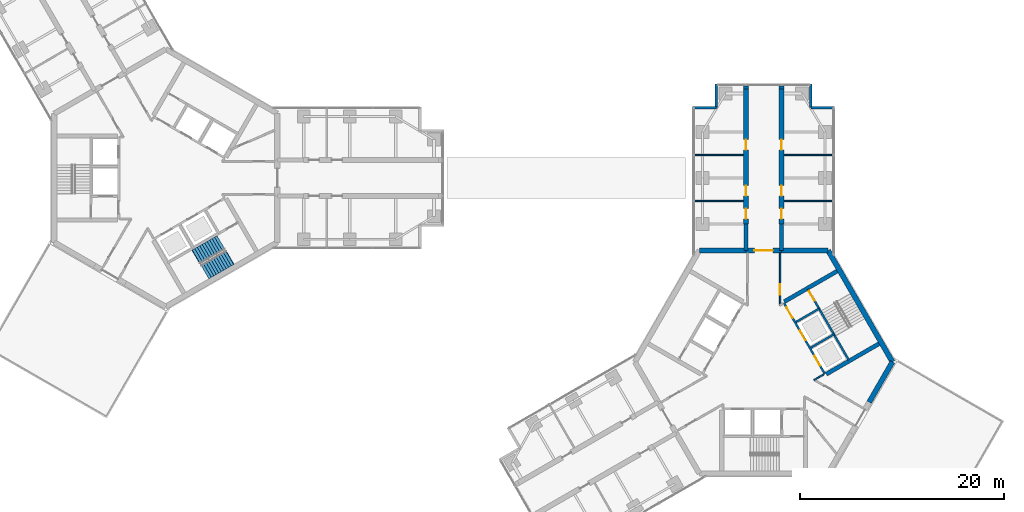
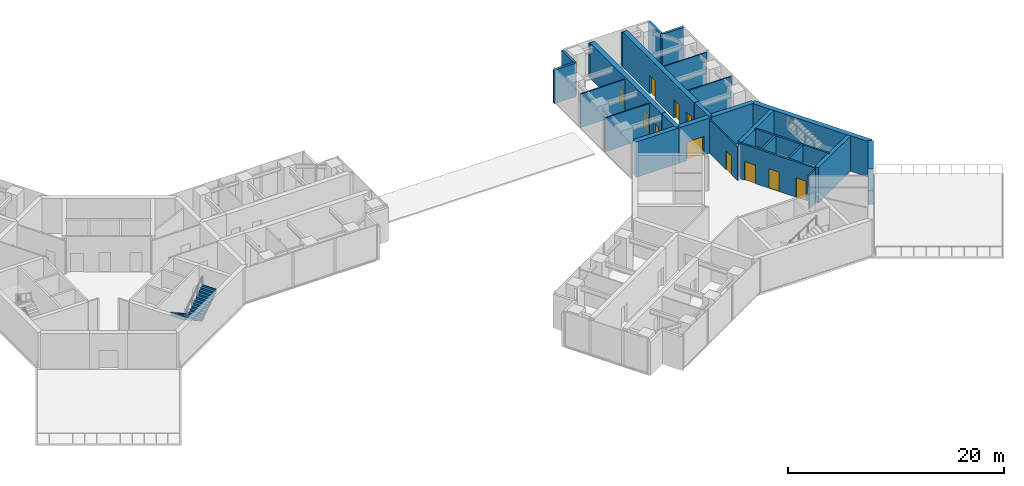
# One storey, part 15 of 18: 27 walls, 12 doors, 2 stair flights, 12 openings, 1 element without a shape of its own.
"""IFC4 building model written with IfcOpenShell, lengths in metres."""

from ifc_helpers import new_model, si_unit, direction, frame, frame_2d, origin, place, context, subcontext, project, spatial, polyline, rectangle, outline, extrude, material, layer, layer_set, type_object, element, fill, aggregate, save


model = new_model("IFC4")

# Units and contexts
model_context = context("Model", 3, precision=1e-05, world=origin(), true_north=direction((0.0, 1.0)))
body_context = subcontext(model_context, "Body", "Model", "MODEL_VIEW")
ifc_project = project(units=[si_unit("LENGTHUNIT", "METRE"), si_unit("AREAUNIT", "SQUARE_METRE"), si_unit("VOLUMEUNIT", "CUBIC_METRE"), si_unit("PLANEANGLEUNIT", "RADIAN"), si_unit("MASSUNIT", "GRAM", prefix="KILO")], contexts=[model_context])

# Site, building, storey
site_placement = place(None, origin())
site = spatial("IfcSite", under=ifc_project, at=site_placement, CompositionType="ELEMENT")
building_placement = place(site_placement, origin())
building = spatial("IfcBuilding", under=site, at=building_placement, Name="Upepo Twin Towers", CompositionType="ELEMENT")
storey_placement = place(building_placement, frame((0.0, 0.0, 170.5)))
storey = spatial("IfcBuildingStorey", under=building, at=storey_placement, Name="L41", CompositionType="ELEMENT", Elevation=170.5)

# Walls
ifc_material_1 = material(Name="Dense concrete blockwork", Category="masonry")
ifc_layer_1 = layer(ifc_material_1, 0.5)
ifc_layer_set_1 = layer_set([ifc_layer_1], Name="Buttress closer 500, blockwork with fire-stopping to the curtain wall")
wall_type_1 = type_object("IfcWallType", Name="Buttress closer 500, blockwork with fire-stopping to the curtain wall", PredefinedType="PARTITIONING", material=ifc_layer_set_1)
for number, where, z_axis, x_axis, name in (
    (1, (56.75, 8.699951171875, 0.0), (0.0, 0.0, 1.0), (0.0, 1.0, 0.0), "T2 L41 wing A buttress closer L"),
    (2, (60.25, 8.699951171875, 0.0), (0.0, 0.0, 1.0), (0.0, 1.0, 0.0), "T2 L41 wing A buttress closer R"),
):
    element("IfcWall", number, at=place(storey_placement, frame(where, z_axis=z_axis, x_axis=x_axis)), inside=storey, type_object=wall_type_1, Name=name, PredefinedType="PARTITIONING", context=body_context, shape_type="SweptSolid", body=[
        extrude(rectangle(XDim=0.28759765625, YDim=0.5, at=frame_2d((0.143798828125, 0.0))), origin(), (0.0, 0.0, 1.0), 3.800048828125),
    ])
ifc_material_2 = material(Name="Concrete C60/75", Category="concrete")
ifc_layer_2 = layer(ifc_material_2, 0.39990234375)
ifc_layer_set_2 = layer_set([ifc_layer_2], Name="Concrete C60/75")
wall_type_2 = type_object("IfcWallType", Name="Buttress wall 400 RC", PredefinedType="SHEAR", material=ifc_layer_set_2)
for number, where, z_axis, x_axis, name in (
    (3, (56.75, -7.091552734375, 0.0), (0.0, 0.0, 1.0), (0.0, 1.0, 0.0), "T2 wing A buttress wall L"),
    (4, (60.25, -7.091552734375, 0.0), (0.0, 0.0, 1.0), (0.0, 1.0, 0.0), "T2 wing A buttress wall R"),
):
    element("IfcWall", number, at=place(storey_placement, frame(where, z_axis=z_axis, x_axis=x_axis)), inside=storey, type_object=wall_type_2, Name=name, PredefinedType="SHEAR", context=body_context, shape_type="SweptSolid", body=[
        extrude(rectangle(XDim=2.591552734375, YDim=0.39990234375, at=frame_2d((1.2958984375, 0.0))), origin(), (0.0, 0.0, 1.0), 4.0),
    ])

# Wall, openings, doors
ifc_material_3 = material(Name="Concrete C60/75", Category="concrete")
ifc_layer_3 = layer(ifc_material_3, 0.5)
ifc_layer_set_3 = layer_set([ifc_layer_3], Name="Concrete C60/75")
wall_type_3 = type_object("IfcWallType", Name="Buttress wall 500 RC", PredefinedType="SHEAR", material=ifc_layer_set_3)
wall_1_placement = place(storey_placement, frame((56.75, -4.5, 0.0), z_axis=(0.0, 0.0, 1.0), x_axis=(0.0, 1.0, 0.0)))
wall_1 = element("IfcWall", 5, at=wall_1_placement, inside=storey, type_object=wall_type_3, Name="T2 wing A buttress wall L part 2", PredefinedType="SHEAR", context=body_context, shape_type="SweptSolid", body=[
    extrude(rectangle(XDim=13.199951171875, YDim=0.5, at=frame_2d((6.60009765625, 0.0))), origin(), (0.0, 0.0, 1.0), 4.0),
])
opening_1_placement = place(wall_1_placement, frame((0.5, 0.0, 0.0)))
opening_1 = element("IfcOpeningElement", 6, at=opening_1_placement, cuts=wall_1, Name="Opening D15", PredefinedType="OPENING", context=body_context, shape_type="SweptSolid", body=[
    extrude(rectangle(XDim=1.0, YDim=2.10009765625, at=frame_2d((0.5, 1.050048828125))), frame((0.0, 0.260009765625, 0.0), z_axis=(0.0, -1.0, 0.0), x_axis=(1.0, 0.0, 0.0)), (0.0, 0.0, 1.0), 0.52001953125),
])
opening_2_placement = place(wall_1_placement, frame((2.75, 0.0, 0.0)))
opening_2 = element("IfcOpeningElement", 7, at=opening_2_placement, cuts=wall_1, Name="Opening D15", PredefinedType="OPENING", context=body_context, shape_type="SweptSolid", body=[
    extrude(rectangle(XDim=1.0, YDim=2.10009765625, at=frame_2d((0.5, 1.050048828125))), frame((0.0, 0.260009765625, 0.0), z_axis=(0.0, -1.0, 0.0), x_axis=(1.0, 0.0, 0.0)), (0.0, 0.0, 1.0), 0.52001953125),
])
opening_3_placement = place(wall_1_placement, frame((7.25, 0.0, 0.0)))
opening_3 = element("IfcOpeningElement", 8, at=opening_3_placement, cuts=wall_1, Name="Opening D15", PredefinedType="OPENING", context=body_context, shape_type="SweptSolid", body=[
    extrude(rectangle(XDim=1.0, YDim=2.10009765625, at=frame_2d((0.5, 1.050048828125))), frame((0.0, 0.260009765625, 0.0), z_axis=(0.0, -1.0, 0.0), x_axis=(1.0, 0.0, 0.0)), (0.0, 0.0, 1.0), 0.52001953125),
])
ifc_material_4 = material(Name="Timber doorset", Category="wood")
door_type_1 = type_object("IfcDoorType", Name="Glazed door 1000 FD30", OperationType="SINGLE_SWING_LEFT", PredefinedType="DOOR", material=ifc_material_4)
door_1_placement = place(opening_1_placement, origin())
door_1 = element("IfcDoor", 9, at=door_1_placement, inside=storey, type_object=door_type_1, Name="T2 L41 faculty office door", OperationType="SINGLE_SWING_LEFT", OverallHeight=2.10009765625, OverallWidth=1.0, PredefinedType="DOOR", context=body_context, shape_type="SweptSolid", body=[
    extrude(rectangle(XDim=1.0, YDim=2.10009765625, at=frame_2d((0.5, 1.050048828125))), frame((0.0, 0.02490234375, 0.0), z_axis=(0.0, -1.0, 0.0), x_axis=(1.0, 0.0, 0.0)), (0.0, 0.0, 1.0), 0.050048828125),
])
fill(opening_1, door_1)
door_2_placement = place(opening_2_placement, origin())
door_2 = element("IfcDoor", 10, at=door_2_placement, inside=storey, type_object=door_type_1, Name="T2 L41 faculty office door", OperationType="SINGLE_SWING_LEFT", OverallHeight=2.10009765625, OverallWidth=1.0, PredefinedType="DOOR", context=body_context, shape_type="SweptSolid", body=[
    extrude(rectangle(XDim=1.0, YDim=2.10009765625, at=frame_2d((0.5, 1.050048828125))), frame((0.0, 0.02490234375, 0.0), z_axis=(0.0, -1.0, 0.0), x_axis=(1.0, 0.0, 0.0)), (0.0, 0.0, 1.0), 0.050048828125),
])
fill(opening_2, door_2)
door_3_placement = place(opening_3_placement, origin())
door_3 = element("IfcDoor", 11, at=door_3_placement, inside=storey, type_object=door_type_1, Name="T2 L41 faculty office door", OperationType="SINGLE_SWING_RIGHT", OverallHeight=2.10009765625, OverallWidth=1.0, PredefinedType="DOOR", context=body_context, shape_type="SweptSolid", body=[
    extrude(rectangle(XDim=1.0, YDim=2.10009765625, at=frame_2d((0.5, 1.050048828125))), frame((0.0, 0.02490234375, 0.0), z_axis=(0.0, -1.0, 0.0), x_axis=(1.0, 0.0, 0.0)), (0.0, 0.0, 1.0), 0.050048828125),
])
fill(opening_3, door_3)

wall_2_placement = place(storey_placement, frame((60.25, -4.5, 0.0), z_axis=(0.0, 0.0, 1.0), x_axis=(0.0, 1.0, 0.0)))
wall_2 = element("IfcWall", 12, at=wall_2_placement, inside=storey, type_object=wall_type_3, Name="T2 wing A buttress wall R part 2", PredefinedType="SHEAR", context=body_context, shape_type="SweptSolid", body=[
    extrude(rectangle(XDim=13.199951171875, YDim=0.5, at=frame_2d((6.60009765625, 0.0))), origin(), (0.0, 0.0, 1.0), 4.0),
])
opening_4_placement = place(wall_2_placement, frame((0.5, 0.0, 0.0)))
opening_4 = element("IfcOpeningElement", 13, at=opening_4_placement, cuts=wall_2, Name="Opening D15", PredefinedType="OPENING", context=body_context, shape_type="SweptSolid", body=[
    extrude(rectangle(XDim=1.0, YDim=2.10009765625, at=frame_2d((0.5, 1.050048828125))), frame((0.0, 0.260009765625, 0.0), z_axis=(0.0, -1.0, 0.0), x_axis=(1.0, 0.0, 0.0)), (0.0, 0.0, 1.0), 0.52001953125),
])
opening_5_placement = place(wall_2_placement, frame((2.75, 0.0, 0.0)))
opening_5 = element("IfcOpeningElement", 14, at=opening_5_placement, cuts=wall_2, Name="Opening D15", PredefinedType="OPENING", context=body_context, shape_type="SweptSolid", body=[
    extrude(rectangle(XDim=1.0, YDim=2.10009765625, at=frame_2d((0.5, 1.050048828125))), frame((0.0, 0.260009765625, 0.0), z_axis=(0.0, -1.0, 0.0), x_axis=(1.0, 0.0, 0.0)), (0.0, 0.0, 1.0), 0.52001953125),
])
opening_6_placement = place(wall_2_placement, frame((7.25, 0.0, 0.0)))
opening_6 = element("IfcOpeningElement", 15, at=opening_6_placement, cuts=wall_2, Name="Opening D15", PredefinedType="OPENING", context=body_context, shape_type="SweptSolid", body=[
    extrude(rectangle(XDim=1.0, YDim=2.10009765625, at=frame_2d((0.5, 1.050048828125))), frame((0.0, 0.260009765625, 0.0), z_axis=(0.0, -1.0, 0.0), x_axis=(1.0, 0.0, 0.0)), (0.0, 0.0, 1.0), 0.52001953125),
])
door_4_placement = place(opening_4_placement, origin())
door_4 = element("IfcDoor", 16, at=door_4_placement, inside=storey, type_object=door_type_1, Name="T2 L41 faculty office door", OperationType="SINGLE_SWING_LEFT", OverallHeight=2.10009765625, OverallWidth=1.0, PredefinedType="DOOR", context=body_context, shape_type="SweptSolid", body=[
    extrude(rectangle(XDim=1.0, YDim=2.10009765625, at=frame_2d((0.5, 1.050048828125))), frame((0.0, 0.02490234375, 0.0), z_axis=(0.0, -1.0, 0.0), x_axis=(1.0, 0.0, 0.0)), (0.0, 0.0, 1.0), 0.050048828125),
])
fill(opening_4, door_4)
door_5_placement = place(opening_5_placement, origin())
door_5 = element("IfcDoor", 17, at=door_5_placement, inside=storey, type_object=door_type_1, Name="T2 L41 faculty office door", OperationType="SINGLE_SWING_LEFT", OverallHeight=2.10009765625, OverallWidth=1.0, PredefinedType="DOOR", context=body_context, shape_type="SweptSolid", body=[
    extrude(rectangle(XDim=1.0, YDim=2.10009765625, at=frame_2d((0.5, 1.050048828125))), frame((0.0, 0.02490234375, 0.0), z_axis=(0.0, -1.0, 0.0), x_axis=(1.0, 0.0, 0.0)), (0.0, 0.0, 1.0), 0.050048828125),
])
fill(opening_5, door_5)
door_6_placement = place(opening_6_placement, origin())
door_6 = element("IfcDoor", 18, at=door_6_placement, inside=storey, type_object=door_type_1, Name="T2 L41 faculty office door", OperationType="SINGLE_SWING_RIGHT", OverallHeight=2.10009765625, OverallWidth=1.0, PredefinedType="DOOR", context=body_context, shape_type="SweptSolid", body=[
    extrude(rectangle(XDim=1.0, YDim=2.10009765625, at=frame_2d((0.5, 1.050048828125))), frame((0.0, 0.02490234375, 0.0), z_axis=(0.0, -1.0, 0.0), x_axis=(1.0, 0.0, 0.0)), (0.0, 0.0, 1.0), 0.050048828125),
])
fill(opening_6, door_6)

# Wall
ifc_material_5 = material(Name="Concrete C60/75", Category="concrete")
ifc_layer_4 = layer(ifc_material_5, 0.5)
ifc_layer_set_4 = layer_set([ifc_layer_4], Name="Concrete C60/75")
wall_type_4 = type_object("IfcWallType", Name="Core wall 500 RC", PredefinedType="SHEAR", material=ifc_layer_set_4)
wall_3_placement = place(storey_placement, frame((64.7978515625, -7.091552734375, 0.0), z_axis=(0.0, 0.0, 1.0), x_axis=(-1.0, 0.0, 0.0)))
element("IfcWall", 19, at=wall_3_placement, inside=storey, type_object=wall_type_4, Name="T2 core wall 000 R", PredefinedType="SHEAR", context=body_context, shape_type="SweptSolid", body=[
    extrude(rectangle(XDim=4.5478515625, YDim=0.5, at=frame_2d((2.27392578125, 0.0))), origin(), (0.0, 0.0, 1.0), 4.0),
])

# Wall, opening, door
wall_4_placement = place(storey_placement, frame((60.25, -7.091552734375, 0.0), z_axis=(0.0, 0.0, 1.0), x_axis=(-1.0, 0.0, 0.0)))
wall_4 = element("IfcWall", 20, at=wall_4_placement, inside=storey, type_object=wall_type_4, Name="T2 core wall 000", PredefinedType="SHEAR", context=body_context, shape_type="SweptSolid", body=[
    extrude(rectangle(XDim=3.5, YDim=0.5, at=frame_2d((1.75, 0.0))), origin(), (0.0, 0.0, 1.0), 4.0),
])
opening_7_placement = place(wall_4_placement, frame((0.85009765625, 0.0, 0.0)))
opening_7 = element("IfcOpeningElement", 21, at=opening_7_placement, cuts=wall_4, Name="Opening D2", PredefinedType="OPENING", context=body_context, shape_type="SweptSolid", body=[
    extrude(rectangle(XDim=1.800048828125, YDim=2.10009765625, at=frame_2d((0.89990234375, 1.050048828125))), frame((0.0, 0.260009765625, 0.0), z_axis=(0.0, -1.0, 0.0), x_axis=(1.0, 0.0, 0.0)), (0.0, 0.0, 1.0), 0.52001953125),
])
ifc_material_6 = material(Name="Timber doorset", Category="wood")
door_type_2 = type_object("IfcDoorType", Name="Corridor double door 1800 FD60", OperationType="DOUBLE_DOOR_DOUBLE_SWING", PredefinedType="DOOR", material=ifc_material_6)
door_7_placement = place(opening_7_placement, origin())
door_7 = element("IfcDoor", 22, at=door_7_placement, inside=storey, type_object=door_type_2, Name="T2 L41 wing A corridor door", OperationType="DOUBLE_DOOR_DOUBLE_SWING", OverallHeight=2.10009765625, OverallWidth=1.800048828125, PredefinedType="DOOR", context=body_context, shape_type="SweptSolid", body=[
    extrude(rectangle(XDim=1.800048828125, YDim=2.10009765625, at=frame_2d((0.89990234375, 1.050048828125))), frame((0.0, 0.02490234375, 0.0), z_axis=(0.0, -1.0, 0.0), x_axis=(1.0, 0.0, 0.0)), (0.0, 0.0, 1.0), 0.050048828125),
])
fill(opening_7, door_7)

# Walls
wall_5_placement = place(storey_placement, frame((56.75, -7.091552734375, 0.0), z_axis=(0.0, 0.0, 1.0), x_axis=(-1.0, 0.0, 0.0)))
element("IfcWall", 23, at=wall_5_placement, inside=storey, type_object=wall_type_4, Name="T2 core wall 000 L", PredefinedType="SHEAR", context=body_context, shape_type="SweptSolid", body=[
    extrude(rectangle(XDim=4.5478515625, YDim=0.5, at=frame_2d((2.27392578125, 0.0))), origin(), (0.0, 0.0, 1.0), 4.0),
])
wall_6_placement = place(storey_placement, frame((68.82177734375, -21.938720703125, 0.0), z_axis=(0.0, 0.0, 1.0), x_axis=(0.500024481964, 0.866011268655, 0.0)))
element("IfcWall", 24, at=wall_6_placement, inside=storey, type_object=wall_type_4, Name="T2 core wall 240 L", PredefinedType="SHEAR", context=body_context, shape_type="SweptSolid", body=[
    extrude(rectangle(XDim=4.548095703125, YDim=0.5, at=frame_2d((2.27392578125, 0.0))), origin(), (0.0, 0.0, 1.0), 4.0),
])
wall_7_placement = place(storey_placement, frame((71.095947265625, -18.0, 0.0), z_axis=(0.0, 0.0, 1.0), x_axis=(-0.500005998175, 0.866021940709, 0.0)))
element("IfcWall", 25, at=wall_7_placement, inside=storey, type_object=wall_type_4, Name="T2 core wall 300", PredefinedType="SHEAR", context=body_context, shape_type="SweptSolid", body=[
    extrude(rectangle(XDim=12.595947265625, YDim=0.5, at=frame_2d((6.2978515625, 0.0))), origin(), (0.0, 0.0, 1.0), 4.0),
])
ifc_material_7 = material(Name="Laminated glass in an aluminium frame", Category="aluminium")
ifc_layer_5 = layer(ifc_material_7, 0.1201171875)
ifc_layer_set_5 = layer_set([ifc_layer_5], Name="Glazed partition 120, aluminium framed")
wall_type_5 = type_object("IfcWallType", Name="Glazed partition 120, aluminium framed", PredefinedType="PARTITIONING", material=ifc_layer_set_5)
for number, where, z_axis, x_axis, name in (
    (26, (56.5, -2.25, 0.0), (0.0, 0.0, 1.0), (-1.0, 0.0, 0.0), "T2 partition AL at 15.75"),
    (27, (56.5, 2.25, 0.0), (0.0, 0.0, 1.0), (-1.0, 0.0, 0.0), "T2 partition AL at 20.25"),
    (28, (60.5, -2.25, 0.0), (0.0, 0.0, 1.0), (1.0, 0.0, 0.0), "T2 partition AR at 15.75"),
    (29, (60.5, 2.25, 0.0), (0.0, 0.0, 1.0), (1.0, 0.0, 0.0), "T2 partition AR at 20.25"),
):
    element("IfcWall", number, at=place(storey_placement, frame(where, z_axis=z_axis, x_axis=x_axis)), inside=storey, type_object=wall_type_5, Name=name, PredefinedType="PARTITIONING", context=body_context, shape_type="SweptSolid", body=[
        extrude(rectangle(XDim=4.75, YDim=0.1201171875, at=frame_2d((2.375, 0.0))), origin(), (0.0, 0.0, 1.0), 3.800048828125),
    ])
ifc_material_8 = material(Name="Blockwork with anodised aluminium cladding", Category="masonry")
ifc_layer_6 = layer(ifc_material_8, 0.25)
ifc_layer_set_6 = layer_set([ifc_layer_6], Name="Notch cladding wall 250, pale metal")
wall_type_6 = type_object("IfcWallType", Name="Notch cladding wall 250, pale metal", PredefinedType="STANDARD", material=ifc_layer_set_6)
for number, where, z_axis, x_axis, name in (
    (30, (51.550048828125, 6.875, 0.0), (0.0, 0.0, 1.0), (1.0, 0.0, 0.0), "T2 L41 wing A notch wall L1"),
    (31, (53.875, 6.875, 0.0), (0.0, 0.0, 1.0), (0.0, 1.0, 0.0), "T2 L41 wing A notch wall L2"),
    (32, (65.449951171875, 6.875, 0.0), (0.0, 0.0, 1.0), (-1.0, 0.0, 0.0), "T2 L41 wing A notch wall R1"),
    (33, (63.125, 6.875, 0.0), (0.0, 0.0, 1.0), (0.0, 1.0, 0.0), "T2 L41 wing A notch wall R2"),
):
    element("IfcWall", number, at=place(storey_placement, frame(where, z_axis=z_axis, x_axis=x_axis)), inside=storey, type_object=wall_type_6, Name=name, PredefinedType="STANDARD", context=body_context, shape_type="SweptSolid", body=[
        extrude(rectangle(XDim=2.324951171875, YDim=0.25, at=frame_2d((1.16259765625, 0.0))), origin(), (0.0, 0.0, 1.0), 3.800048828125),
    ])

# Wall, openings, doors
ifc_material_9 = material(Name="Concrete C40/50", Category="concrete")
ifc_layer_7 = layer(ifc_material_9, 0.199951171875)
ifc_layer_set_7 = layer_set([ifc_layer_7], Name="Concrete C40/50")
wall_type_7 = type_object("IfcWallType", Name="Shaft wall 200 RC", PredefinedType="SHEAR", material=ifc_layer_set_7)
wall_8_placement = place(storey_placement, frame((64.483642578125, -19.1640625, 0.0), z_axis=(0.0, 0.0, 1.0), x_axis=(-0.49999894854, 0.866026010844, 0.0)))
wall_8 = element("IfcWall", 34, at=wall_8_placement, inside=storey, type_object=wall_type_7, Name="T2 core W300 front wall", PredefinedType="SHEAR", context=body_context, shape_type="SweptSolid", body=[
    extrude(rectangle(XDim=8.0, YDim=0.199951171875, at=frame_2d((4.0, 0.0))), origin(), (0.0, 0.0, 1.0), 4.0),
])
opening_8_placement = place(wall_8_placement, frame((6.300048828125, 0.0, 0.0)))
opening_8 = element("IfcOpeningElement", 35, at=opening_8_placement, cuts=wall_8, Name="Opening D4", PredefinedType="OPENING", context=body_context, shape_type="SweptSolid", body=[
    extrude(rectangle(XDim=1.199951171875, YDim=2.10009765625, at=frame_2d((0.60009765625, 1.050048828125))), frame((0.0, 0.10986328125, 0.0), z_axis=(0.0, -1.0, 0.0), x_axis=(1.0, 0.0, 0.0)), (0.0, 0.0, 1.0), 0.219970703125),
])
opening_9_placement = place(wall_8_placement, frame((0.89990234375, 0.0, 0.0)))
opening_9 = element("IfcOpeningElement", 36, at=opening_9_placement, cuts=wall_8, Name="Opening LD1", PredefinedType="OPENING", context=body_context, shape_type="SweptSolid", body=[
    extrude(rectangle(XDim=1.10009765625, YDim=2.199951171875, at=frame_2d((0.550048828125, 1.10009765625))), frame((0.0, 0.10986328125, 0.0), z_axis=(0.0, -1.0, 0.0), x_axis=(1.0, 0.0, 0.0)), (0.0, 0.0, 1.0), 0.219970703125),
])
opening_10_placement = place(wall_8_placement, frame((3.800048828125, 0.0, 0.0)))
opening_10 = element("IfcOpeningElement", 37, at=opening_10_placement, cuts=wall_8, Name="Opening LD1", PredefinedType="OPENING", context=body_context, shape_type="SweptSolid", body=[
    extrude(rectangle(XDim=1.10009765625, YDim=2.199951171875, at=frame_2d((0.550048828125, 1.10009765625))), frame((0.0, 0.10986328125, 0.0), z_axis=(0.0, -1.0, 0.0), x_axis=(1.0, 0.0, 0.0)), (0.0, 0.0, 1.0), 0.219970703125),
])
ifc_material_10 = material(Name="Steel doorset", Category="steel")
door_type_3 = type_object("IfcDoorType", Name="Lift landing door 1100", OperationType="DOUBLE_DOOR_SLIDING", PredefinedType="DOOR", material=ifc_material_10)
door_8_placement = place(opening_9_placement, origin())
door_8 = element("IfcDoor", 38, at=door_8_placement, inside=storey, type_object=door_type_3, Name="T2 L41 lift UL1 landing door", OperationType="DOUBLE_DOOR_SLIDING", OverallHeight=2.199951171875, OverallWidth=1.10009765625, PredefinedType="DOOR", context=body_context, shape_type="SweptSolid", body=[
    extrude(rectangle(XDim=1.10009765625, YDim=2.199951171875, at=frame_2d((0.550048828125, 1.10009765625))), frame((0.0, 0.02490234375, 0.0), z_axis=(0.0, -1.0, 0.0), x_axis=(1.0, 0.0, 0.0)), (0.0, 0.0, 1.0), 0.050048828125),
])
fill(opening_9, door_8)
door_9_placement = place(opening_10_placement, origin())
door_9 = element("IfcDoor", 39, at=door_9_placement, inside=storey, type_object=door_type_3, Name="T2 L41 lift UL2 landing door", OperationType="DOUBLE_DOOR_SLIDING", OverallHeight=2.199951171875, OverallWidth=1.10009765625, PredefinedType="DOOR", context=body_context, shape_type="SweptSolid", body=[
    extrude(rectangle(XDim=1.10009765625, YDim=2.199951171875, at=frame_2d((0.550048828125, 1.10009765625))), frame((0.0, 0.02490234375, 0.0), z_axis=(0.0, -1.0, 0.0), x_axis=(1.0, 0.0, 0.0)), (0.0, 0.0, 1.0), 0.050048828125),
])
fill(opening_10, door_9)
ifc_material_11 = material(Name="Timber doorset", Category="wood")
door_type_4 = type_object("IfcDoorType", Name="Lobby door 1200 FD60", OperationType="SINGLE_SWING_LEFT", PredefinedType="DOOR", material=ifc_material_11)
door_10_placement = place(opening_8_placement, origin())
door_10 = element("IfcDoor", 40, at=door_10_placement, inside=storey, type_object=door_type_4, Name="T2 L41 W300 lobby door", OperationType="SINGLE_SWING_RIGHT", OverallHeight=2.10009765625, OverallWidth=1.199951171875, PredefinedType="DOOR", context=body_context, shape_type="SweptSolid", body=[
    extrude(rectangle(XDim=1.199951171875, YDim=2.10009765625, at=frame_2d((0.60009765625, 1.050048828125))), frame((0.0, 0.02490234375, 0.0), z_axis=(0.0, -1.0, 0.0), x_axis=(1.0, 0.0, 0.0)), (0.0, 0.0, 1.0), 0.050048828125),
])
fill(opening_8, door_10)

# Walls
wall_9_placement = place(storey_placement, frame((63.120361328125, -16.6025390625, 0.0), z_axis=(0.0, 0.0, 1.0), x_axis=(0.866062058628, 0.499936506574, 0.0)))
element("IfcWall", 41, at=wall_9_placement, inside=storey, type_object=wall_type_7, Name="T2 core W300 shaft divider", PredefinedType="SHEAR", context=body_context, shape_type="SweptSolid", body=[
    extrude(rectangle(XDim=2.599853515625, YDim=0.199951171875, at=frame_2d((1.2998046875, 0.0))), origin(), (0.0, 0.0, 1.0), 4.0),
])
wall_10_placement = place(storey_placement, frame((61.67041015625, -14.091064453125, 0.0), z_axis=(0.0, 0.0, 1.0), x_axis=(0.86603858612, 0.49997716683, 0.0)))
element("IfcWall", 42, at=wall_10_placement, inside=storey, type_object=wall_type_7, Name="T2 core W300 lobby wall", PredefinedType="SHEAR", context=body_context, shape_type="SweptSolid", body=[
    extrude(rectangle(XDim=2.599609375, YDim=0.199951171875, at=frame_2d((1.2998046875, 0.0))), origin(), (0.0, 0.0, 1.0), 4.0),
])

# Wall, opening, door
wall_11_placement = place(storey_placement, frame((66.822021484375, -17.814208984375, 0.0), z_axis=(0.0, 0.0, 1.0), x_axis=(-0.49999894854, 0.866026010844, 0.0)))
wall_11 = element("IfcWall", 43, at=wall_11_placement, inside=storey, type_object=wall_type_7, Name="T2 core W300 stair wall", PredefinedType="SHEAR", context=body_context, shape_type="SweptSolid", body=[
    extrude(rectangle(XDim=8.0, YDim=0.199951171875, at=frame_2d((4.0, 0.0))), origin(), (0.0, 0.0, 1.0), 4.0),
])
opening_11_placement = place(wall_11_placement, frame((6.699951171875, 0.0, 0.0)))
opening_11 = element("IfcOpeningElement", 44, at=opening_11_placement, cuts=wall_11, Name="Opening D3", PredefinedType="OPENING", context=body_context, shape_type="SweptSolid", body=[
    extrude(rectangle(XDim=1.10009765625, YDim=2.10009765625, at=frame_2d((0.550048828125, 1.050048828125))), frame((0.0, 0.10986328125, 0.0), z_axis=(0.0, -1.0, 0.0), x_axis=(1.0, 0.0, 0.0)), (0.0, 0.0, 1.0), 0.219970703125),
])
ifc_material_12 = material(Name="Timber doorset", Category="wood")
door_type_5 = type_object("IfcDoorType", Name="Stair door 1100 FD60", OperationType="SINGLE_SWING_LEFT", PredefinedType="DOOR", material=ifc_material_12)
door_11_placement = place(opening_11_placement, origin())
door_11 = element("IfcDoor", 45, at=door_11_placement, inside=storey, type_object=door_type_5, Name="T2 L41 stair door", OperationType="SINGLE_SWING_RIGHT", OverallHeight=2.10009765625, OverallWidth=1.10009765625, PredefinedType="DOOR", context=body_context, shape_type="SweptSolid", body=[
    extrude(rectangle(XDim=1.10009765625, YDim=2.10009765625, at=frame_2d((0.550048828125, 1.050048828125))), frame((0.0, 0.02490234375, 0.0), z_axis=(0.0, -1.0, 0.0), x_axis=(1.0, 0.0, 0.0)), (0.0, 0.0, 1.0), 0.050048828125),
])
fill(opening_11, door_11)

# Walls
ifc_material_13 = material(Name="Concrete C40/50", Category="concrete")
ifc_layer_8 = layer(ifc_material_13, 0.39990234375)
ifc_layer_set_8 = layer_set([ifc_layer_8], Name="Concrete C40/50")
wall_type_8 = type_object("IfcWallType", Name="Shaft wall 400 RC", PredefinedType="SHEAR", material=ifc_layer_set_8)
wall_12_placement = place(storey_placement, frame((60.520263671875, -12.099365234375, 0.0), z_axis=(0.0, 0.0, 1.0), x_axis=(0.86602319114, 0.500003832394, 0.0)))
element("IfcWall", 46, at=wall_12_placement, inside=storey, type_object=wall_type_8, Name="T2 core W300 side wall N", PredefinedType="SHEAR", context=body_context, shape_type="SweptSolid", body=[
    extrude(rectangle(XDim=5.95849609375, YDim=0.39990234375, at=frame_2d((2.979248046875, 0.0))), origin(), (0.0, 0.0, 1.0), 4.0),
])
wall_13_placement = place(storey_placement, frame((64.620361328125, -19.20068359375, 0.0), z_axis=(0.0, 0.0, 1.0), x_axis=(0.866012946976, 0.500021575205, 0.0)))
element("IfcWall", 47, at=wall_13_placement, inside=storey, type_object=wall_type_8, Name="T2 core W300 side wall S", PredefinedType="SHEAR", context=body_context, shape_type="SweptSolid", body=[
    extrude(rectangle(XDim=5.958251953125, YDim=0.39990234375, at=frame_2d((2.97900390625, 0.0))), origin(), (0.0, 0.0, 1.0), 4.0),
])

# Wall, opening, door
ifc_material_14 = material(Name="Gypsum board on steel studs", Category="steel")
ifc_layer_9 = layer(ifc_material_14, 0.14990234375)
ifc_layer_set_9 = layer_set([ifc_layer_9], Name="Teaching partition 150 acoustic")
wall_type_9 = type_object("IfcWallType", Name="Teaching partition 150 acoustic", PredefinedType="PARTITIONING", material=ifc_layer_set_9)
wall_14_placement = place(storey_placement, frame((60.10009765625, -7.331787109375, 0.0), z_axis=(0.0, 0.0, 1.0), x_axis=(0.0, -1.0, 0.0)))
wall_14 = element("IfcWall", 48, at=wall_14_placement, inside=storey, type_object=wall_type_9, Name="T2 core room partition 7", PredefinedType="PARTITIONING", context=body_context, shape_type="SweptSolid", body=[
    extrude(rectangle(XDim=5.1455078125, YDim=0.14990234375, at=frame_2d((2.57275390625, 0.0))), origin(), (0.0, 0.0, 1.0), 3.800048828125),
])
opening_12_placement = place(wall_14_placement, frame((3.087890625, 0.0, 0.0)))
opening_12 = element("IfcOpeningElement", 49, at=opening_12_placement, cuts=wall_14, Name="Opening D1", PredefinedType="OPENING", context=body_context, shape_type="SweptSolid", body=[
    extrude(rectangle(XDim=1.0, YDim=2.10009765625, at=frame_2d((0.5, 1.050048828125))), frame((0.0, 0.0849609375, 0.0), z_axis=(0.0, -1.0, 0.0), x_axis=(1.0, 0.0, 0.0)), (0.0, 0.0, 1.0), 0.169921875),
])
ifc_material_15 = material(Name="Timber doorset", Category="wood")
door_type_6 = type_object("IfcDoorType", Name="Room door 1000 FD30", OperationType="SINGLE_SWING_LEFT", PredefinedType="DOOR", material=ifc_material_15)
door_12_placement = place(opening_12_placement, origin())
door_12 = element("IfcDoor", 50, at=door_12_placement, inside=storey, type_object=door_type_6, Name="T2 L41 core room door K6", OperationType="SINGLE_SWING_RIGHT", OverallHeight=2.10009765625, OverallWidth=1.0, PredefinedType="DOOR", context=body_context, shape_type="SweptSolid", body=[
    extrude(rectangle(XDim=1.0, YDim=2.10009765625, at=frame_2d((0.5, 1.050048828125))), frame((0.0, 0.02490234375, 0.0), z_axis=(0.0, -1.0, 0.0), x_axis=(1.0, 0.0, 0.0)), (0.0, 0.0, 1.0), 0.050048828125),
])
fill(opening_12, door_12)

# Wall
wall_15_placement = place(storey_placement, frame((64.40576171875, -19.208984375, 0.0), z_axis=(0.0, 0.0, 1.0), x_axis=(-0.865961255618, -0.500111091428, 0.0)))
element("IfcWall", 51, at=wall_15_placement, inside=storey, type_object=wall_type_9, Name="T2 core room partition 9", PredefinedType="PARTITIONING", context=body_context, shape_type="SweptSolid", body=[
    extrude(rectangle(XDim=1.123779296875, YDim=0.14990234375, at=frame_2d((0.56201171875, 0.0))), origin(), (0.0, 0.0, 1.0), 3.800048828125),
])

# Stair, stair flights
ifc_material_16 = material(Name="Concrete C40/50", Category="concrete")
stair_type = type_object("IfcStairType", Name="Core stair, two flights", PredefinedType="HALF_TURN_STAIR", material=ifc_material_16)
stair_placement = place(storey_placement, origin())
stair = element("IfcStair", 52, at=stair_placement, inside=storey, type_object=stair_type, Name="T1 stair S2 L41", PredefinedType="HALF_TURN_STAIR")
ifc_material_17 = material(Name="Concrete C40/50", Category="concrete")
stair_flight_type = type_object("IfcStairFlightType", Name="Stair flight 1550 RC", PredefinedType="STRAIGHT", material=ifc_material_17)
stair_flight_1_placement = place(storey_placement, frame((5.40380859375, -6.31982421875, 0.0), z_axis=(0.0, 0.0, 1.0), x_axis=(-0.866025403784, -0.5, 0.0)))
stair_flight_1 = element("IfcStairFlight", 53, at=stair_flight_1_placement, type_object=stair_flight_type, Name="Stair S2 flight 1", NumberOfRisers=11, NumberOfTreads=10, PredefinedType="STRAIGHT", RiserHeight=0.181818182, TreadLength=0.28, context=body_context, shape_type="SweptSolid", body=[
    extrude(outline(polyline([(0.0, 0.0), (0.0, 0.181884765625), (0.280029296875, 0.181884765625), (0.280029296875, 0.363525390625), (0.56005859375, 0.363525390625), (0.56005859375, 0.54541015625), (0.840087890625, 0.54541015625), (0.840087890625, 0.727294921875), (1.1201171875, 0.727294921875), (1.1201171875, 0.9091796875), (1.39990234375, 0.9091796875), (1.39990234375, 1.0908203125), (1.679931640625, 1.0908203125), (1.679931640625, 1.272705078125), (1.9599609375, 1.272705078125), (1.9599609375, 1.45458984375), (2.239990234375, 1.45458984375), (2.239990234375, 1.636474609375), (2.52001953125, 1.636474609375), (2.52001953125, 1.818115234375), (2.800048828125, 1.818115234375), (2.800048828125, 2.0), (2.85009765625, 2.0), (2.85009765625, 1.639404296875), (0.3251953125, 0.0), (0.0, 0.0)])), frame((0.0, 0.77490234375, 0.0), z_axis=(0.0, -1.0, 0.0), x_axis=(1.0, 0.0, 0.0)), (0.0, 0.0, 1.0), 1.550048828125),
])
stair_flight_2_placement = place(storey_placement, frame((3.833251953125, -9.19921875, 2.0), z_axis=(0.0, 0.0, 1.0), x_axis=(0.866025403784, 0.5, 0.0)))
stair_flight_2 = element("IfcStairFlight", 54, at=stair_flight_2_placement, type_object=stair_flight_type, Name="Stair S2 flight 2", NumberOfRisers=11, NumberOfTreads=10, PredefinedType="STRAIGHT", RiserHeight=0.181818182, TreadLength=0.28, context=body_context, shape_type="SweptSolid", body=[
    extrude(outline(polyline([(0.0, 0.0), (0.0, 0.181884765625), (0.280029296875, 0.181884765625), (0.280029296875, 0.363525390625), (0.56005859375, 0.363525390625), (0.56005859375, 0.54541015625), (0.840087890625, 0.54541015625), (0.840087890625, 0.727294921875), (1.1201171875, 0.727294921875), (1.1201171875, 0.9091796875), (1.39990234375, 0.9091796875), (1.39990234375, 1.0908203125), (1.679931640625, 1.0908203125), (1.679931640625, 1.272705078125), (1.9599609375, 1.272705078125), (1.9599609375, 1.45458984375), (2.239990234375, 1.45458984375), (2.239990234375, 1.636474609375), (2.52001953125, 1.636474609375), (2.52001953125, 1.818115234375), (2.800048828125, 1.818115234375), (2.800048828125, 2.0), (2.85009765625, 2.0), (2.85009765625, 1.639404296875), (0.3251953125, 0.0), (0.0, 0.0)])), frame((0.0, 0.77490234375, 0.0), z_axis=(0.0, -1.0, 0.0), x_axis=(1.0, 0.0, 0.0)), (0.0, 0.0, 1.0), 1.550048828125),
])
aggregate(stair, [stair_flight_1, stair_flight_2])

save(model, "model.ifc")
